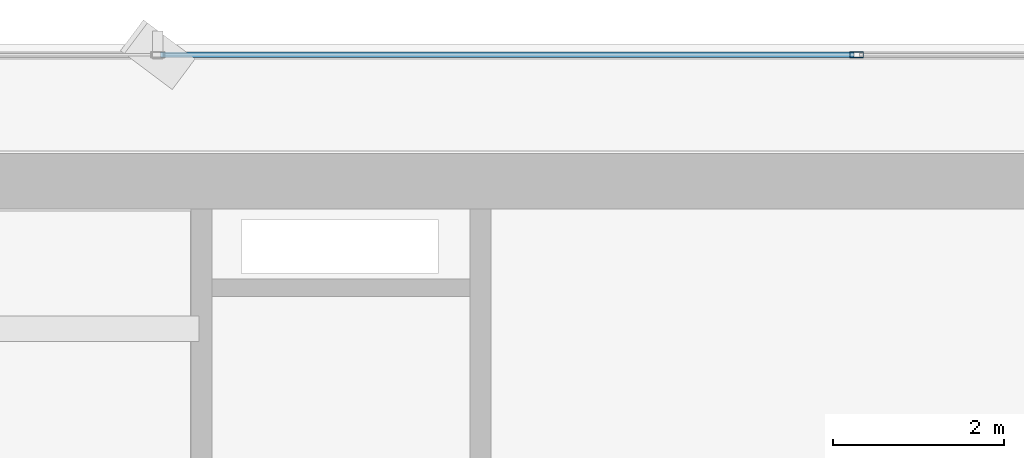
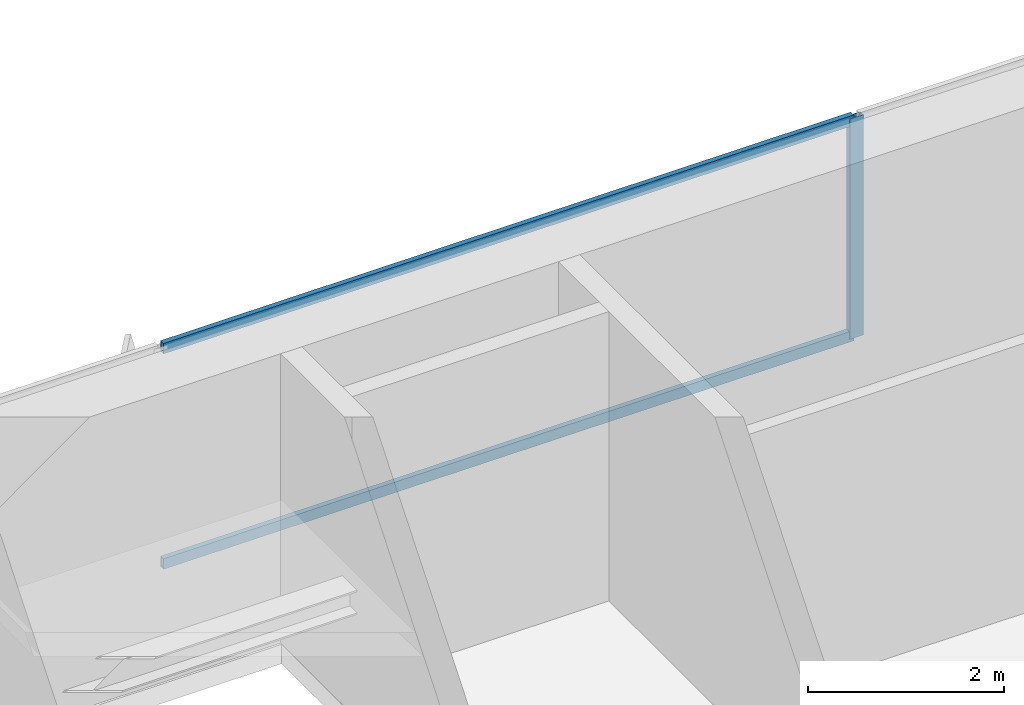
# One storey, part 21 of 37: 3 members, 1 element without a shape of its own.
"""IFC4 building model written with IfcOpenShell, lengths in metres."""

from ifc_helpers import new_model, si_unit, direction, frame, origin, origin_2d, place, context, subcontext, project, spatial, hollow_rectangle, extrude, source, transform, mapped, material, layer, layer_set, material_profile, profile_set, type_object, element, aggregate, save


model = new_model("IFC4")

# Units and contexts
model_context = context("Model", 3, precision=1e-05, world=origin(), true_north=direction((0.0, 1.0)))
body_context = subcontext(model_context, "Body", "Model", "MODEL_VIEW")
ifc_project = project(units=[si_unit("LENGTHUNIT", "METRE"), si_unit("AREAUNIT", "SQUARE_METRE"), si_unit("VOLUMEUNIT", "CUBIC_METRE"), si_unit("PLANEANGLEUNIT", "RADIAN"), si_unit("MASSUNIT", "GRAM", prefix="KILO")], contexts=[model_context])

# Site, building, storey
site_placement = place(None, origin())
site = spatial("IfcSite", under=ifc_project, at=site_placement, CompositionType="ELEMENT")
building_placement = place(site_placement, origin())
building = spatial("IfcBuilding", under=site, at=building_placement, Name="Sumidabori Civic Tower", CompositionType="ELEMENT")
storey_placement = place(building_placement, frame((0.0, 0.0, 81.199951171875)))
storey = spatial("IfcBuildingStorey", under=building, at=storey_placement, Name="L20", CompositionType="ELEMENT", Elevation=81.199951171875)

# Curtain wall, members
ifc_material = material(Name="Anodised Bronze Aluminium AW-6063-T6", Category="aluminium")
ifc_layer = layer(ifc_material, 0.179931640625, Name="Anodised Bronze Aluminium AW-6063-T6")
ifc_layer_set = layer_set([ifc_layer], Name="Anodised Bronze Aluminium AW-6063-T6")
curtain_wall_type = type_object("IfcCurtainWallType", Name="CW-SYS-3", PredefinedType="NOTDEFINED", material=ifc_layer_set)
curtain_wall_placement = place(storey_placement, origin())
curtain_wall = element("IfcCurtainWall", 1, at=curtain_wall_placement, inside=storey, type_object=curtain_wall_type, Name="Curtain Wall CW:L20:R07", PredefinedType="NOTDEFINED")
ifc_material_profile_1 = material_profile(ifc_material, hollow_rectangle(XDim=0.06494140625, YDim=0.159912109375, WallThickness=0.0048828125, at=origin_2d()), Name="ALU MULLION 160x65")
ifc_profile_set_1 = profile_set([ifc_material_profile_1], Name="Anodised Bronze Aluminium AW-6063-T6")
member_type_1 = type_object("IfcMemberType", Name="CW-MUL-160", PredefinedType="MULLION", material=ifc_profile_set_1)
shared_shape_1 = source(origin(), body_context, "Body", "SweptSolid", [
    extrude(hollow_rectangle(XDim=0.06494140625, YDim=0.159912109375, WallThickness=0.0048828125, at=origin_2d()), origin(), (0.0, 0.0, 1.0), 2.739990234375),
])
member_1_placement = place(storey_placement, frame((-4.093994140625, 25.280029296875, 0.0), z_axis=(0.0, 0.0, 1.0), x_axis=(0.0, -1.0, 0.0)))
member_1 = element("IfcMember", 2, at=member_1_placement, type_object=member_type_1, Name="CW-3 mullion 4", PredefinedType="MULLION", context=body_context, shape_type="MappedRepresentation", body=[
    mapped(shared_shape_1, transform((0.0, 0.0, 0.0), x_axis=(1.0, 0.0, 0.0), y_axis=(0.0, 1.0, 0.0), z_axis=(0.0, 0.0, 1.0), scale=1.0)),
])
ifc_material_profile_2 = material_profile(ifc_material, hollow_rectangle(XDim=0.06005859375, YDim=0.1298828125, WallThickness=0.0048828125, at=origin_2d()), Name="ALU TRANSOM 130x60")
ifc_profile_set_2 = profile_set([ifc_material_profile_2], Name="Anodised Bronze Aluminium AW-6063-T6")
member_type_2 = type_object("IfcMemberType", Name="CW-TRN-130", PredefinedType="USERDEFINED", material=ifc_profile_set_2)
shared_shape_2 = source(origin(), body_context, "Body", "SweptSolid", [
    extrude(hollow_rectangle(XDim=0.06005859375, YDim=0.1298828125, WallThickness=0.0048828125, at=origin_2d()), origin(), (0.0, 0.0, 1.0), 8.123046875),
])
member_2_placement = place(storey_placement, frame((-4.12646484375, 25.280029296875, 0.030029296875), z_axis=(-1.0, 0.0, 0.0), x_axis=(0.0, -1.0, 0.0)))
member_2 = element("IfcMember", 3, at=member_2_placement, type_object=member_type_2, Name="CW-3 transom 4.1", ObjectType="TRANSOM", PredefinedType="USERDEFINED", context=body_context, shape_type="MappedRepresentation", body=[
    mapped(shared_shape_2, transform((0.0, 0.0, 0.0), x_axis=(1.0, 0.0, 0.0), y_axis=(0.0, 1.0, 0.0), z_axis=(0.0, 0.0, 1.0), scale=1.0)),
])
member_3_placement = place(storey_placement, frame((-4.12646484375, 25.280029296875, 2.7099609375), z_axis=(-1.0, 0.0, 0.0), x_axis=(0.0, -1.0, 0.0)))
member_3 = element("IfcMember", 4, at=member_3_placement, type_object=member_type_2, Name="CW-3 transom 4.2", ObjectType="TRANSOM", PredefinedType="USERDEFINED", context=body_context, shape_type="MappedRepresentation", body=[
    mapped(shared_shape_2, transform((0.0, 0.0, 0.0), x_axis=(1.0, 0.0, 0.0), y_axis=(0.0, 1.0, 0.0), z_axis=(0.0, 0.0, 1.0), scale=1.0)),
])
aggregate(curtain_wall, [member_1, member_2, member_3])

save(model, "model.ifc")
